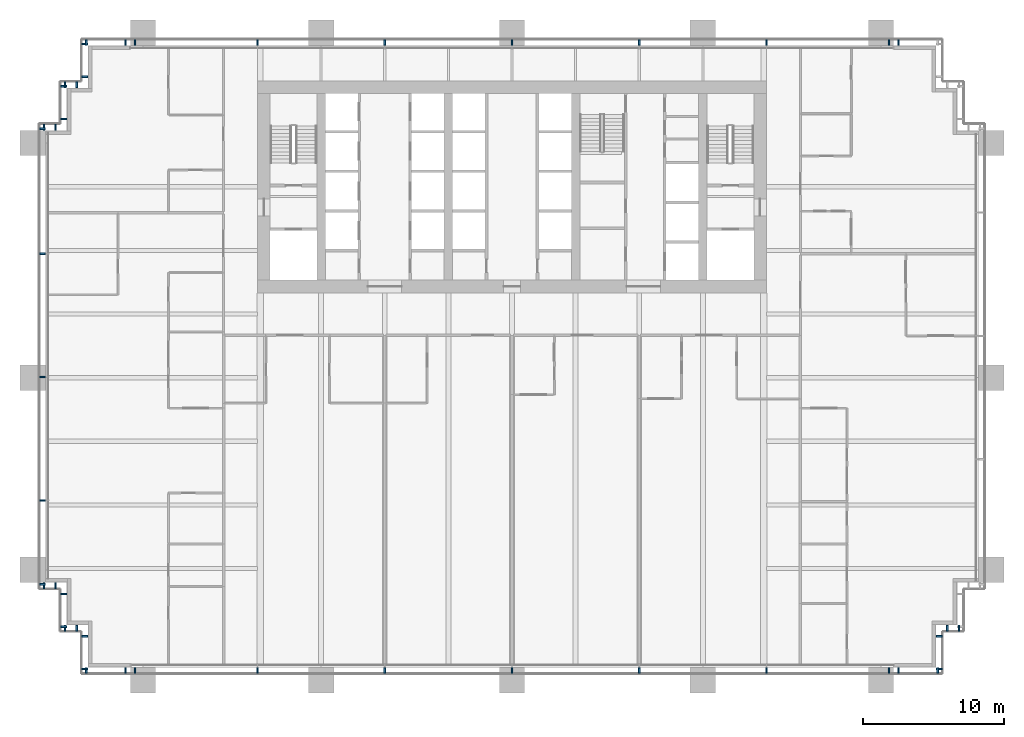
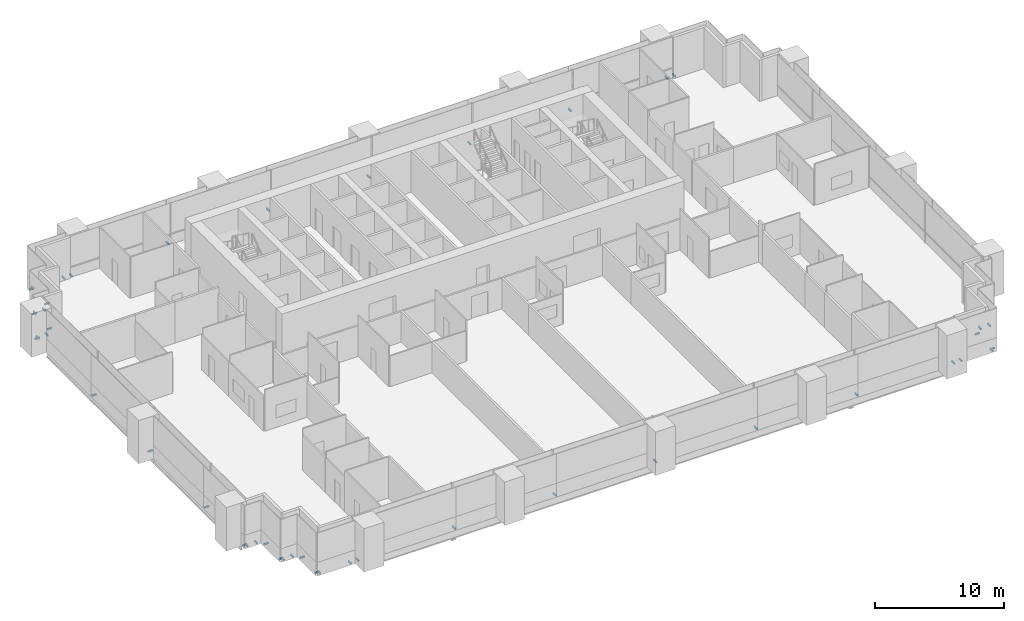
# One storey, part 16 of 20: 46 discrete accessories.
"""IFC4 building model written with IfcOpenShell, lengths in metres."""

from ifc_helpers import new_model, si_unit, direction, frame, origin, origin_2d, place, context, subcontext, project, spatial, rectangle, extrude, element, save


model = new_model("IFC4")

# Units and contexts
model_context = context("Model", 3, precision=1e-05, world=origin(), true_north=direction((0.0, 1.0)))
body_context = subcontext(model_context, "Body", "Model", "MODEL_VIEW")
ifc_project = project(units=[si_unit("LENGTHUNIT", "METRE"), si_unit("AREAUNIT", "SQUARE_METRE"), si_unit("VOLUMEUNIT", "CUBIC_METRE"), si_unit("PLANEANGLEUNIT", "RADIAN"), si_unit("MASSUNIT", "GRAM", prefix="KILO")], contexts=[model_context])

# Site, building, storey
site_placement = place(None, origin())
site = spatial("IfcSite", under=ifc_project, at=site_placement, CompositionType="ELEMENT")
building_placement = place(site_placement, origin())
building = spatial("IfcBuilding", under=site, at=building_placement, Name="Rattan Terrace Tower", CompositionType="ELEMENT")
storey_placement = place(building_placement, frame((0.0, 0.0, 40.60009765625)))
storey = spatial("IfcBuildingStorey", under=building, at=storey_placement, Name="L08", CompositionType="ELEMENT", Elevation=40.60009765625)

# Discrete accessories
for number, where, z_axis, x_axis, name in (
    (1, (27.340087890625, -34.2099609375, -0.169921875), (0.0, 0.0, 1.0), (1.0, 0.0, 0.0), "Panel bracket L08-1"),
    (2, (30.110107421875, -34.2099609375, -0.169921875), (0.0, 0.0, 1.0), (1.0, 0.0, 0.0), "Panel bracket L08-2"),
    (3, (30.2099609375, -34.110107421875, -0.169921875), (0.0, 0.0, 1.0), (0.0, 1.0, 0.0), "Panel bracket L08-3"),
    (4, (30.2099609375, -31.7900390625, -0.169921875), (0.0, 0.0, 1.0), (0.0, 1.0, 0.0), "Panel bracket L08-4"),
    (5, (30.7900390625, -31.2099609375, -0.169921875), (0.0, 0.0, 1.0), (1.0, 0.0, 0.0), "Panel bracket L08-5"),
    (6, (31.610107421875, -31.2099609375, -0.169921875), (0.0, 0.0, 1.0), (1.0, 0.0, 0.0), "Panel bracket L08-6"),
    (7, (27.340087890625, 10.2099609375, -0.169921875), (0.0, 0.0, 1.0), (-1.0, 0.0, 0.0), "Panel bracket L08-25"),
    (8, (26.659912109375, 10.2099609375, -0.169921875), (0.0, 0.0, 1.0), (-1.0, 0.0, 0.0), "Panel bracket L08-26"),
    (9, (18.0, 10.2099609375, -0.169921875), (0.0, 0.0, 1.0), (-1.0, 0.0, 0.0), "Panel bracket L08-27"),
    (10, (9.0, 10.2099609375, -0.169921875), (0.0, 0.0, 1.0), (-1.0, 0.0, 0.0), "Panel bracket L08-28"),
    (11, (0.0, 10.2099609375, -0.169921875), (0.0, 0.0, 1.0), (-1.0, 0.0, 0.0), "Panel bracket L08-29"),
    (12, (-9.0, 10.2099609375, -0.169921875), (0.0, 0.0, 1.0), (-1.0, 0.0, 0.0), "Panel bracket L08-30"),
    (13, (-18.0, 10.2099609375, -0.169921875), (0.0, 0.0, 1.0), (-1.0, 0.0, 0.0), "Panel bracket L08-31"),
    (14, (-26.659912109375, 10.2099609375, -0.169921875), (0.0, 0.0, 1.0), (-1.0, 0.0, 0.0), "Panel bracket L08-32"),
    (15, (-27.340087890625, 10.2099609375, -0.169921875), (0.0, 0.0, 1.0), (-1.0, 0.0, 0.0), "Panel bracket L08-33"),
    (16, (-30.110107421875, 10.2099609375, -0.169921875), (0.0, 0.0, 1.0), (-1.0, 0.0, 0.0), "Panel bracket L08-34"),
    (17, (-30.2099609375, 10.110107421875, -0.169921875), (0.0, 0.0, 1.0), (0.0, -1.0, 0.0), "Panel bracket L08-35"),
    (18, (-30.2099609375, 7.7900390625, -0.169921875), (0.0, 0.0, 1.0), (0.0, -1.0, 0.0), "Panel bracket L08-36"),
    (19, (-30.7900390625, 7.2099609375, -0.169921875), (0.0, 0.0, 1.0), (-1.0, 0.0, 0.0), "Panel bracket L08-37"),
    (20, (-31.610107421875, 7.2099609375, -0.169921875), (0.0, 0.0, 1.0), (-1.0, 0.0, 0.0), "Panel bracket L08-38"),
    (21, (-31.7099609375, 7.110107421875, -0.169921875), (0.0, 0.0, 1.0), (0.0, -1.0, 0.0), "Panel bracket L08-39"),
    (22, (-31.7099609375, 4.7900390625, -0.169921875), (0.0, 0.0, 1.0), (0.0, -1.0, 0.0), "Panel bracket L08-40"),
    (23, (-32.2900390625, 4.2099609375, -0.169921875), (0.0, 0.0, 1.0), (-1.0, 0.0, 0.0), "Panel bracket L08-41"),
    (24, (-33.110107421875, 4.2099609375, -0.169921875), (0.0, 0.0, 1.0), (-1.0, 0.0, 0.0), "Panel bracket L08-42"),
    (25, (-33.2099609375, 4.110107421875, -0.169921875), (0.0, 0.0, 1.0), (0.0, -1.0, 0.0), "Panel bracket L08-43"),
    (26, (-33.2099609375, -4.72705078125, -0.169921875), (0.0, 0.0, 1.0), (0.0, -1.0, 0.0), "Panel bracket L08-44"),
    (27, (-33.2099609375, -13.4541015625, -0.169921875), (0.0, 0.0, 1.0), (0.0, -1.0, 0.0), "Panel bracket L08-45"),
    (28, (-33.2099609375, -22.180908203125, -0.169921875), (0.0, 0.0, 1.0), (0.0, -1.0, 0.0), "Panel bracket L08-46"),
    (29, (-33.2099609375, -28.110107421875, -0.169921875), (0.0, 0.0, 1.0), (0.0, -1.0, 0.0), "Panel bracket L08-47"),
    (30, (-33.110107421875, -28.2099609375, -0.169921875), (0.0, 0.0, 1.0), (1.0, 0.0, 0.0), "Panel bracket L08-48"),
    (31, (-32.2900390625, -28.2099609375, -0.169921875), (0.0, 0.0, 1.0), (1.0, 0.0, 0.0), "Panel bracket L08-49"),
    (32, (-31.7099609375, -28.7900390625, -0.169921875), (0.0, 0.0, 1.0), (0.0, -1.0, 0.0), "Panel bracket L08-50"),
    (33, (-31.7099609375, -31.110107421875, -0.169921875), (0.0, 0.0, 1.0), (0.0, -1.0, 0.0), "Panel bracket L08-51"),
    (34, (-31.610107421875, -31.2099609375, -0.169921875), (0.0, 0.0, 1.0), (1.0, 0.0, 0.0), "Panel bracket L08-52"),
    (35, (-30.7900390625, -31.2099609375, -0.169921875), (0.0, 0.0, 1.0), (1.0, 0.0, 0.0), "Panel bracket L08-53"),
    (36, (-30.2099609375, -31.7900390625, -0.169921875), (0.0, 0.0, 1.0), (0.0, -1.0, 0.0), "Panel bracket L08-54"),
    (37, (-30.2099609375, -34.110107421875, -0.169921875), (0.0, 0.0, 1.0), (0.0, -1.0, 0.0), "Panel bracket L08-55"),
    (38, (-30.110107421875, -34.2099609375, -0.169921875), (0.0, 0.0, 1.0), (1.0, 0.0, 0.0), "Panel bracket L08-56"),
    (39, (-27.340087890625, -34.2099609375, -0.169921875), (0.0, 0.0, 1.0), (1.0, 0.0, 0.0), "Panel bracket L08-57"),
    (40, (-26.659912109375, -34.2099609375, -0.169921875), (0.0, 0.0, 1.0), (1.0, 0.0, 0.0), "Panel bracket L08-58"),
    (41, (-18.0, -34.2099609375, -0.169921875), (0.0, 0.0, 1.0), (1.0, 0.0, 0.0), "Panel bracket L08-59"),
    (42, (-9.0, -34.2099609375, -0.169921875), (0.0, 0.0, 1.0), (1.0, 0.0, 0.0), "Panel bracket L08-60"),
    (43, (0.0, -34.2099609375, -0.169921875), (0.0, 0.0, 1.0), (1.0, 0.0, 0.0), "Panel bracket L08-61"),
    (44, (9.0, -34.2099609375, -0.169921875), (0.0, 0.0, 1.0), (1.0, 0.0, 0.0), "Panel bracket L08-62"),
    (45, (18.0, -34.2099609375, -0.169921875), (0.0, 0.0, 1.0), (1.0, 0.0, 0.0), "Panel bracket L08-63"),
    (46, (26.659912109375, -34.2099609375, -0.169921875), (0.0, 0.0, 1.0), (1.0, 0.0, 0.0), "Panel bracket L08-64"),
):
    element("IfcDiscreteAccessory", number, at=place(storey_placement, frame(where, z_axis=z_axis, x_axis=x_axis)), inside=storey, Name=name, PredefinedType="BRACKET", context=body_context, shape_type="SweptSolid", body=[
        extrude(rectangle(XDim=0.1201171875, YDim=0.419921875, at=origin_2d()), origin(), (0.0, 0.0, 1.0), 0.139892578125),
    ])

save(model, "model.ifc")
